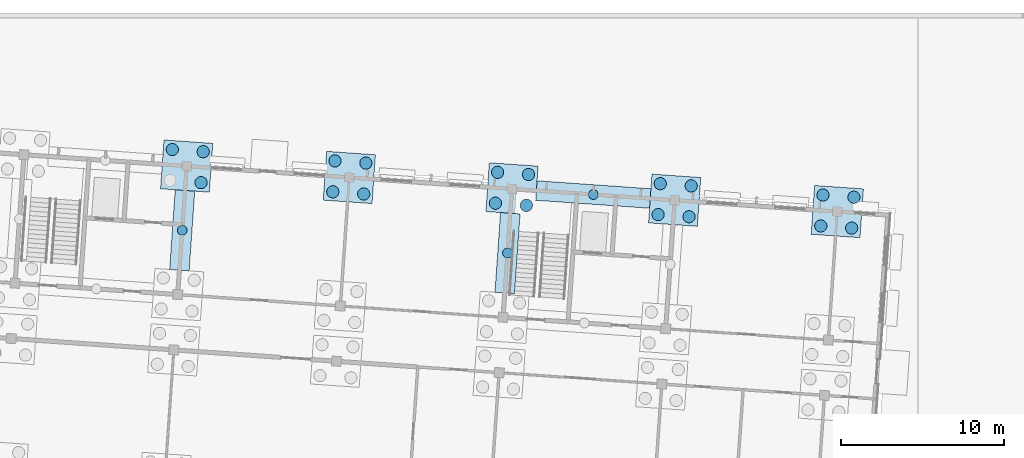
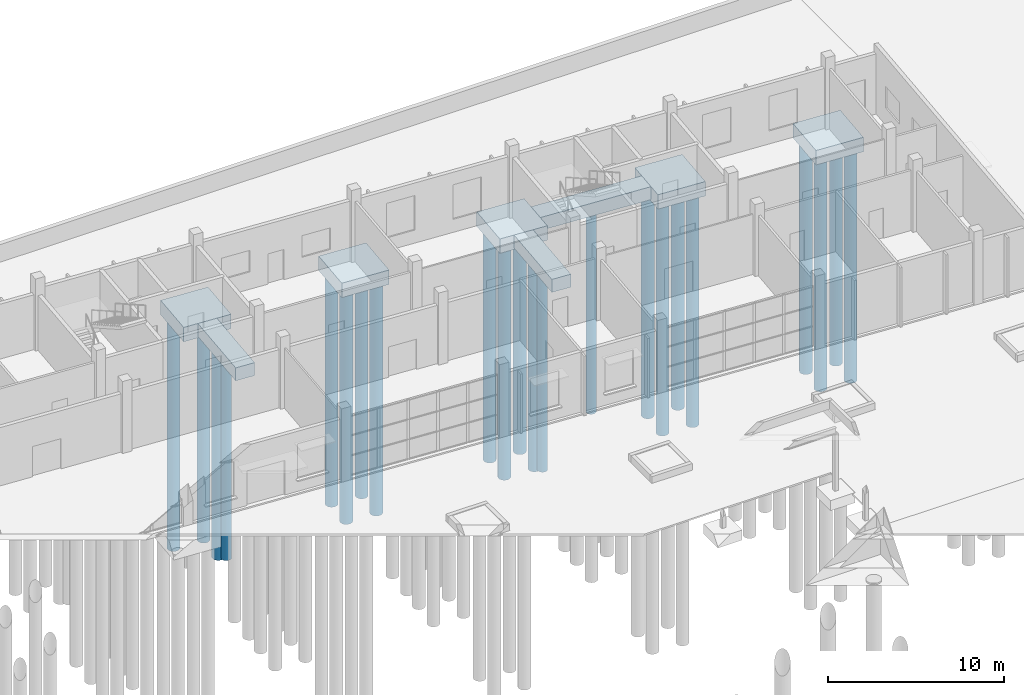
# One storey, part 7 of 157: 22 piles, 8 footings.
"""IFC4 building model written with IfcOpenShell, lengths in metres."""

from ifc_helpers import new_model, si_unit, direction, frame, origin, origin_2d, place, context, subcontext, project, spatial, polyline, rectangle, circle, outline, extrude, material, material_profile, profile_set, type_object, element, save


model = new_model("IFC4")

# Units and contexts
model_context = context("Model", 3, precision=1e-05, world=origin(), true_north=direction((0.0, 1.0)))
body_context = subcontext(model_context, "Body", "Model", "MODEL_VIEW")
ifc_project = project(units=[si_unit("LENGTHUNIT", "METRE"), si_unit("AREAUNIT", "SQUARE_METRE"), si_unit("VOLUMEUNIT", "CUBIC_METRE"), si_unit("PLANEANGLEUNIT", "RADIAN"), si_unit("MASSUNIT", "GRAM", prefix="KILO")], contexts=[model_context])

# Site, building, storey
site_placement = place(None, origin())
site = spatial("IfcSite", under=ifc_project, at=site_placement, CompositionType="ELEMENT")
building_placement = place(site_placement, origin())
building = spatial("IfcBuilding", under=site, at=building_placement, Name="Windward Yard Aquatics Centre", CompositionType="ELEMENT")
storey_placement = place(building_placement, origin())
storey = spatial("IfcBuildingStorey", under=building, at=storey_placement, Name="L00", CompositionType="ELEMENT", Elevation=0.0)

# Piles
ifc_material = material(Name="Concrete C35/45", Category="concrete")
ifc_material_profile_1 = material_profile(ifc_material, circle(Radius=0.300048828125, at=origin_2d()), Name="D600")
ifc_profile_set_1 = profile_set([ifc_material_profile_1], Name="Concrete C35/45")
pile_type_1 = type_object("IfcPileType", Name="W bored pile D600 Concrete C35/45", PredefinedType="BORED", material=ifc_profile_set_1)
for number, where, z_axis, x_axis, name in (
    (1, (128.87841796875, 130.682861328125, -1.10009765625), (0.0, 0.0, -1.0), (1.0, 0.0, 0.0), "W.FB.W.4.P1"),
    (2, (154.093017578125, 132.87939453125, -1.10009765625), (0.0, 0.0, -1.0), (1.0, 0.0, 0.0), "W.FB.E.2.P1"),
    (3, (148.82958984375, 129.28759765625, -1.10009765625), (0.0, 0.0, -1.0), (1.0, 0.0, 0.0), "W.FB.E.3.P1"),
):
    element("IfcPile", number, at=place(storey_placement, frame(where, z_axis=z_axis, x_axis=x_axis)), inside=storey, type_object=pile_type_1, Name=name, PredefinedType="BORED", context=body_context, shape_type="SweptSolid", body=[
        extrude(circle(Radius=0.300048828125, at=origin_2d()), origin(), (0.0, 0.0, 1.0), 14.10009765625),
    ])
ifc_material_profile_2 = material_profile(ifc_material, circle(Radius=0.375, at=origin_2d()), Name="D750")
ifc_profile_set_2 = profile_set([ifc_material_profile_2], Name="Concrete C35/45")
pile_type_2 = type_object("IfcPileType", Name="W bored pile D750 Concrete C35/45", PredefinedType="BORED", material=ifc_profile_set_2)
for number, where, z_axis, x_axis, name in (
    (4, (130.03515625, 133.609130859375, -1.199951171875), (0.0, 0.0, -1.0), (1.0, 0.0, 0.0), "W.CAP.3D.P2"),
    (5, (130.167724609375, 135.504638671875, -1.199951171875), (0.0, 0.0, -1.0), (1.0, 0.0, 0.0), "W.CAP.3D.P3"),
    (6, (128.2724609375, 135.63720703125, -1.199951171875), (0.0, 0.0, -1.0), (1.0, 0.0, 0.0), "W.CAP.3D.P4"),
    (7, (138.115478515625, 133.044189453125, -1.199951171875), (0.0, 0.0, -1.0), (1.0, 0.0, 0.0), "W.CAP.4D.P1"),
    (8, (140.010986328125, 132.91162109375, -1.199951171875), (0.0, 0.0, -1.0), (1.0, 0.0, 0.0), "W.CAP.4D.P2"),
    (9, (140.143310546875, 134.80712890625, -1.199951171875), (0.0, 0.0, -1.0), (1.0, 0.0, 0.0), "W.CAP.4D.P3"),
    (10, (138.248046875, 134.939697265625, -1.199951171875), (0.0, 0.0, -1.0), (1.0, 0.0, 0.0), "W.CAP.4D.P4"),
    (11, (148.09130859375, 132.3466796875, -1.199951171875), (0.0, 0.0, -1.0), (1.0, 0.0, 0.0), "W.CAP.5D.P1"),
    (12, (149.986572265625, 132.214111328125, -1.199951171875), (0.0, 0.0, -1.0), (1.0, 0.0, 0.0), "W.CAP.5D.P2"),
    (13, (150.119140625, 134.109619140625, -1.199951171875), (0.0, 0.0, -1.0), (1.0, 0.0, 0.0), "W.CAP.5D.P3"),
    (14, (148.2236328125, 134.241943359375, -1.199951171875), (0.0, 0.0, -1.0), (1.0, 0.0, 0.0), "W.CAP.5D.P4"),
    (15, (158.06689453125, 131.649169921875, -1.199951171875), (0.0, 0.0, -1.0), (1.0, 0.0, 0.0), "W.CAP.6D.P1"),
    (16, (159.962158203125, 131.5166015625, -1.199951171875), (0.0, 0.0, -1.0), (1.0, 0.0, 0.0), "W.CAP.6D.P2"),
    (17, (160.0947265625, 133.411865234375, -1.199951171875), (0.0, 0.0, -1.0), (1.0, 0.0, 0.0), "W.CAP.6D.P3"),
    (18, (158.19921875, 133.54443359375, -1.199951171875), (0.0, 0.0, -1.0), (1.0, 0.0, 0.0), "W.CAP.6D.P4"),
    (19, (168.04248046875, 130.951416015625, -1.199951171875), (0.0, 0.0, -1.0), (1.0, 0.0, 0.0), "W.CAP.7D.P1"),
    (20, (169.937744140625, 130.819091796875, -1.199951171875), (0.0, 0.0, -1.0), (1.0, 0.0, 0.0), "W.CAP.7D.P2"),
    (21, (170.0703125, 132.71435546875, -1.199951171875), (0.0, 0.0, -1.0), (1.0, 0.0, 0.0), "W.CAP.7D.P3"),
    (22, (168.175048828125, 132.846923828125, -1.199951171875), (0.0, 0.0, -1.0), (1.0, 0.0, 0.0), "W.CAP.7D.P4"),
):
    element("IfcPile", number, at=place(storey_placement, frame(where, z_axis=z_axis, x_axis=x_axis)), inside=storey, type_object=pile_type_2, Name=name, PredefinedType="BORED", context=body_context, shape_type="SweptSolid", body=[
        extrude(circle(Radius=0.375, at=origin_2d()), origin(), (0.0, 0.0, 1.0), 16.10009765625),
    ])

# Footings
footing_type_1 = type_object("IfcFootingType", Name="W footing beam 1200x900 Concrete C35/45", PredefinedType="FOOTING_BEAM", material=ifc_material)
footing_1_placement = place(storey_placement, frame((0.0, 0.0, -1.199951171875)))
element("IfcFooting", 23, at=footing_1_placement, inside=storey, type_object=footing_type_1, Name="W.FB.W.4", PredefinedType="FOOTING_BEAM", context=body_context, shape_type="SweptSolid", body=[
    extrude(outline(polyline([(128.10888671875, 128.280517578125), (129.305908203125, 128.197021484375), (129.647705078125, 133.0849609375), (128.45068359375, 133.168701171875), (128.10888671875, 128.280517578125)])), origin(), (0.0, 0.0, 1.0), 0.89990234375),
])
footing_2_placement = place(storey_placement, frame((0.0, 0.0, -1.199951171875)))
element("IfcFooting", 24, at=footing_2_placement, inside=storey, type_object=footing_type_1, Name="W.FB.E.2", PredefinedType="FOOTING_BEAM", context=body_context, shape_type="SweptSolid", body=[
    extrude(outline(polyline([(150.5595703125, 132.52490234375), (157.54248046875, 132.03662109375), (157.626220703125, 133.233642578125), (150.643310546875, 133.721923828125), (150.5595703125, 132.52490234375)])), origin(), (0.0, 0.0, 1.0), 0.89990234375),
])
footing_3_placement = place(storey_placement, frame((0.0, 0.0, -1.199951171875)))
element("IfcFooting", 25, at=footing_3_placement, inside=storey, type_object=footing_type_1, Name="W.FB.E.3", PredefinedType="FOOTING_BEAM", context=body_context, shape_type="SweptSolid", body=[
    extrude(outline(polyline([(148.06005859375, 126.885498046875), (149.257080078125, 126.8017578125), (149.59912109375, 131.68994140625), (148.40185546875, 131.773681640625), (148.06005859375, 126.885498046875)])), origin(), (0.0, 0.0, 1.0), 0.89990234375),
])
footing_type_2 = type_object("IfcFootingType", Name="W pile cap 3000x3000x1000 Concrete C35/45", PredefinedType="PILE_CAP", material=ifc_material)
for number, where, z_axis, x_axis, name in (
    (26, (129.15380859375, 134.623291015625, -1.300048828125), (0.0, 0.0, 1.0), (0.99756405026, -0.069756473744, 0.0), "W.CAP.3D"),
    (27, (139.12939453125, 133.925537109375, -1.300048828125), (0.0, 0.0, 1.0), (0.99756405026, -0.069756473744, 0.0), "W.CAP.4D"),
    (28, (149.10498046875, 133.22802734375, -1.300048828125), (0.0, 0.0, 1.0), (0.99756405026, -0.069756473744, 0.0), "W.CAP.5D"),
    (29, (159.080810546875, 132.530517578125, -1.300048828125), (0.0, 0.0, 1.0), (0.99756405026, -0.069756473744, 0.0), "W.CAP.6D"),
    (30, (169.056396484375, 131.8330078125, -1.300048828125), (0.0, 0.0, 1.0), (0.99756405026, -0.069756473744, 0.0), "W.CAP.7D"),
):
    element("IfcFooting", number, at=place(storey_placement, frame(where, z_axis=z_axis, x_axis=x_axis)), inside=storey, type_object=footing_type_2, Name=name, PredefinedType="PILE_CAP", context=body_context, shape_type="SweptSolid", body=[
        extrude(rectangle(XDim=3.0, YDim=3.0, at=origin_2d()), origin(), (0.0, 0.0, 1.0), 1.0),
    ])

save(model, "model.ifc")
